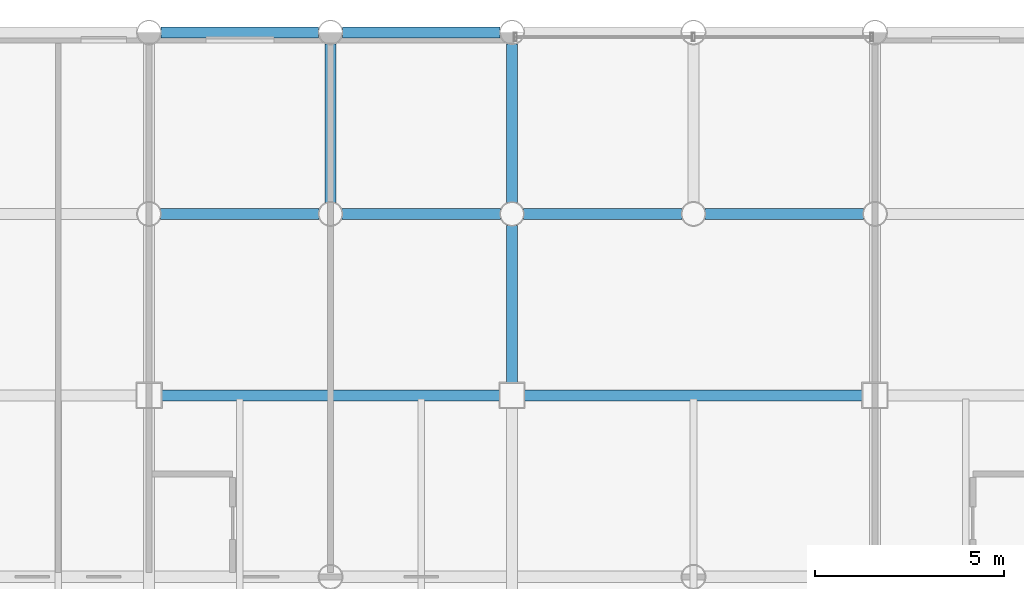
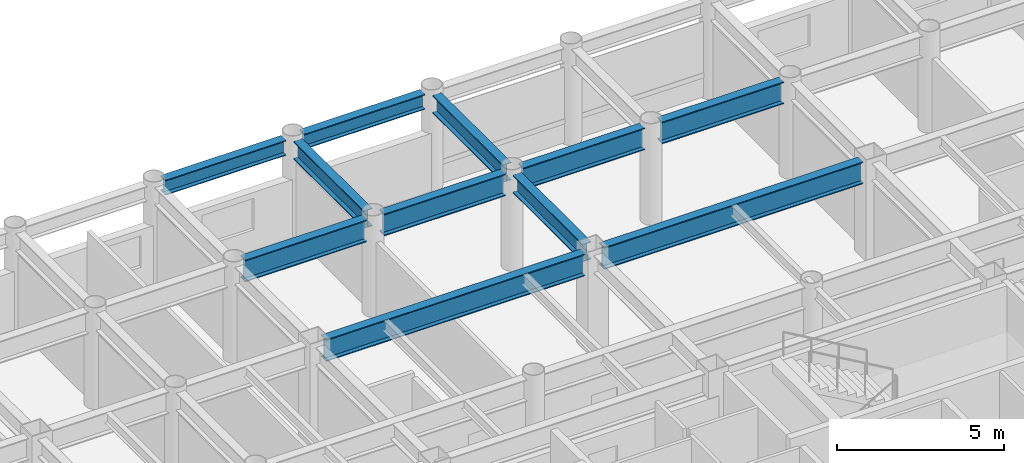
# One storey, part 12 of 22: 11 beams.
"""IFC4 building model written with IfcOpenShell, lengths in metres."""

from ifc_helpers import new_model, si_unit, direction, frame, origin, origin_2d, place, context, subcontext, project, spatial, i_section, extrude, material, material_profile, profile_set, type_object, element, save


model = new_model("IFC4")

# Units and contexts
model_context = context("Model", 3, precision=1e-05, world=origin(), true_north=direction((0.0, 1.0)))
body_context = subcontext(model_context, "Body", "Model", "MODEL_VIEW")
ifc_project = project(units=[si_unit("LENGTHUNIT", "METRE"), si_unit("AREAUNIT", "SQUARE_METRE"), si_unit("VOLUMEUNIT", "CUBIC_METRE"), si_unit("PLANEANGLEUNIT", "RADIAN"), si_unit("MASSUNIT", "GRAM", prefix="KILO")], contexts=[model_context])

# Site, building, storey
site_placement = place(None, origin())
site = spatial("IfcSite", under=ifc_project, at=site_placement, CompositionType="ELEMENT")
building_placement = place(site_placement, origin())
building = spatial("IfcBuilding", under=site, at=building_placement, Name="Kallvorn Hotel Tower", CompositionType="ELEMENT")
storey_placement = place(building_placement, frame((0.0, 0.0, 117.39990234375)))
storey = spatial("IfcBuildingStorey", under=building, at=storey_placement, Name="L28", CompositionType="ELEMENT", Elevation=117.39990234375)

# Beams
ifc_material_1 = material(Name="Structural steel S355JR", Category="steel")
ifc_material_profile_1 = material_profile(ifc_material_1, i_section(OverallWidth=0.300048828125, OverallDepth=0.550048828125, WebThickness=0.014892578125, FlangeThickness=0.029052734375, at=origin_2d()), Name="HE 550 B")
ifc_profile_set_1 = profile_set([ifc_material_profile_1], Name="Structural steel S355JR")
beam_type_1 = type_object("IfcBeamType", Name="BM_HE550B", PredefinedType="SPANDREL", material=ifc_profile_set_1)
beam_1_placement = place(storey_placement, frame((-14.080078125, 24.0, 3.2451171875), z_axis=(1.0, 0.0, 0.0), x_axis=(0.0, 1.0, 0.0)))
element("IfcBeam", 1, at=beam_1_placement, inside=storey, type_object=beam_type_1, Name="L29 Perimeter Spandrel 165", PredefinedType="SPANDREL", context=body_context, shape_type="SweptSolid", body=[
    extrude(i_section(OverallWidth=0.300048828125, OverallDepth=0.550048828125, WebThickness=0.014892578125, FlangeThickness=0.029052734375, at=origin_2d()), origin(), (0.0, 0.0, 1.0), 4.16015625),
])
beam_2_placement = place(storey_placement, frame((-9.280029296875, 24.0, 3.2451171875), z_axis=(1.0, 0.0, 0.0), x_axis=(0.0, 1.0, 0.0)))
element("IfcBeam", 2, at=beam_2_placement, inside=storey, type_object=beam_type_1, Name="L29 Perimeter Spandrel 166", PredefinedType="SPANDREL", context=body_context, shape_type="SweptSolid", body=[
    extrude(i_section(OverallWidth=0.300048828125, OverallDepth=0.550048828125, WebThickness=0.014892578125, FlangeThickness=0.029052734375, at=origin_2d()), origin(), (0.0, 0.0, 1.0), 4.159912109375),
])
ifc_material_2 = material(Name="Structural steel S355JR", Category="steel")
ifc_material_profile_2 = material_profile(ifc_material_2, i_section(OverallWidth=0.300048828125, OverallDepth=0.64990234375, WebThickness=0.01611328125, FlangeThickness=0.031005859375, at=origin_2d()), Name="HE 650 B")
ifc_profile_set_2 = profile_set([ifc_material_profile_2], Name="Structural steel S355JR")
beam_type_2 = type_object("IfcBeamType", Name="BM_HE650B", PredefinedType="BEAM", material=ifc_profile_set_2)
beam_3_placement = place(storey_placement, frame((-9.60009765625, 19.5048828125, 3.195068359375), z_axis=(0.0, 1.0, 0.0), x_axis=(-1.0, 0.0, 0.0)))
element("IfcBeam", 3, at=beam_3_placement, inside=storey, type_object=beam_type_2, Name="L29 Primary Y-Girder 104", PredefinedType="BEAM", context=body_context, shape_type="SweptSolid", body=[
    extrude(i_section(OverallWidth=0.300048828125, OverallDepth=0.64990234375, WebThickness=0.01611328125, FlangeThickness=0.031005859375, at=origin_2d()), origin(), (0.0, 0.0, 1.0), 4.190185546875),
])
beam_4_placement = place(storey_placement, frame((-4.800048828125, 14.72509765625, 3.195068359375), z_axis=(0.0, 1.0, 0.0), x_axis=(-1.0, 0.0, 0.0)))
element("IfcBeam", 4, at=beam_4_placement, inside=storey, type_object=beam_type_2, Name="L29 Primary Y-Girder 108", PredefinedType="BEAM", context=body_context, shape_type="SweptSolid", body=[
    extrude(i_section(OverallWidth=0.300048828125, OverallDepth=0.64990234375, WebThickness=0.01611328125, FlangeThickness=0.031005859375, at=origin_2d()), origin(), (0.0, 0.0, 1.0), 4.169921875),
])
beam_5_placement = place(storey_placement, frame((-4.800048828125, 19.5048828125, 3.195068359375), z_axis=(0.0, 1.0, 0.0), x_axis=(-1.0, 0.0, 0.0)))
element("IfcBeam", 5, at=beam_5_placement, inside=storey, type_object=beam_type_2, Name="L29 Primary Y-Girder 109", PredefinedType="BEAM", context=body_context, shape_type="SweptSolid", body=[
    extrude(i_section(OverallWidth=0.300048828125, OverallDepth=0.64990234375, WebThickness=0.01611328125, FlangeThickness=0.031005859375, at=origin_2d()), origin(), (0.0, 0.0, 1.0), 4.190185546875),
])
ifc_material_3 = material(Name="Structural steel S355JR", Category="steel")
ifc_material_profile_3 = material_profile(ifc_material_3, i_section(OverallWidth=0.300048828125, OverallDepth=0.800048828125, WebThickness=0.017578125, FlangeThickness=0.032958984375, at=origin_2d()), Name="HE 800 B")
ifc_profile_set_3 = profile_set([ifc_material_profile_3], Name="Structural steel S355JR")
beam_type_3 = type_object("IfcBeamType", Name="BM_HE800B", PredefinedType="BEAM", material=ifc_profile_set_3)
beam_6_placement = place(storey_placement, frame((-14.074951171875, 14.39990234375, 3.1201171875), z_axis=(1.0, 0.0, 0.0), x_axis=(0.0, 1.0, 0.0)))
element("IfcBeam", 6, at=beam_6_placement, inside=storey, type_object=beam_type_3, Name="L29 Primary X-Girder 53", PredefinedType="BEAM", context=body_context, shape_type="SweptSolid", body=[
    extrude(i_section(OverallWidth=0.300048828125, OverallDepth=0.800048828125, WebThickness=0.017578125, FlangeThickness=0.032958984375, at=origin_2d()), origin(), (0.0, 0.0, 1.0), 8.949951171875),
])
beam_7_placement = place(storey_placement, frame((-4.47509765625, 14.39990234375, 3.1201171875), z_axis=(1.0, 0.0, 0.0), x_axis=(0.0, 1.0, 0.0)))
element("IfcBeam", 7, at=beam_7_placement, inside=storey, type_object=beam_type_3, Name="L29 Primary X-Girder 54", PredefinedType="BEAM", context=body_context, shape_type="SweptSolid", body=[
    extrude(i_section(OverallWidth=0.300048828125, OverallDepth=0.800048828125, WebThickness=0.017578125, FlangeThickness=0.032958984375, at=origin_2d()), origin(), (0.0, 0.0, 1.0), 8.9501953125),
])
for number, where, z_axis, x_axis, name in (
    (8, (-14.094970703125, 19.199951171875, 3.1201171875), (1.0, 0.0, 0.0), (0.0, 1.0, 0.0), "L29 Primary X-Girder 63"),
    (9, (-9.294921875, 19.199951171875, 3.1201171875), (1.0, 0.0, 0.0), (0.0, 1.0, 0.0), "L29 Primary X-Girder 64"),
):
    element("IfcBeam", number, at=place(storey_placement, frame(where, z_axis=z_axis, x_axis=x_axis)), inside=storey, type_object=beam_type_3, Name=name, PredefinedType="BEAM", context=body_context, shape_type="SweptSolid", body=[
        extrude(i_section(OverallWidth=0.300048828125, OverallDepth=0.800048828125, WebThickness=0.017578125, FlangeThickness=0.032958984375, at=origin_2d()), origin(), (0.0, 0.0, 1.0), 4.18994140625),
    ])
for number, where, z_axis, x_axis, name in (
    (10, (-4.4951171875, 19.199951171875, 3.1201171875), (1.0, 0.0, 0.0), (0.0, 1.0, 0.0), "L29 Primary X-Girder 65"),
    (11, (0.304931640625, 19.199951171875, 3.1201171875), (1.0, 0.0, 0.0), (0.0, 1.0, 0.0), "L29 Primary X-Girder 66"),
):
    element("IfcBeam", number, at=place(storey_placement, frame(where, z_axis=z_axis, x_axis=x_axis)), inside=storey, type_object=beam_type_3, Name=name, PredefinedType="BEAM", context=body_context, shape_type="SweptSolid", body=[
        extrude(i_section(OverallWidth=0.300048828125, OverallDepth=0.800048828125, WebThickness=0.017578125, FlangeThickness=0.032958984375, at=origin_2d()), origin(), (0.0, 0.0, 1.0), 4.190185546875),
    ])

save(model, "model.ifc")
